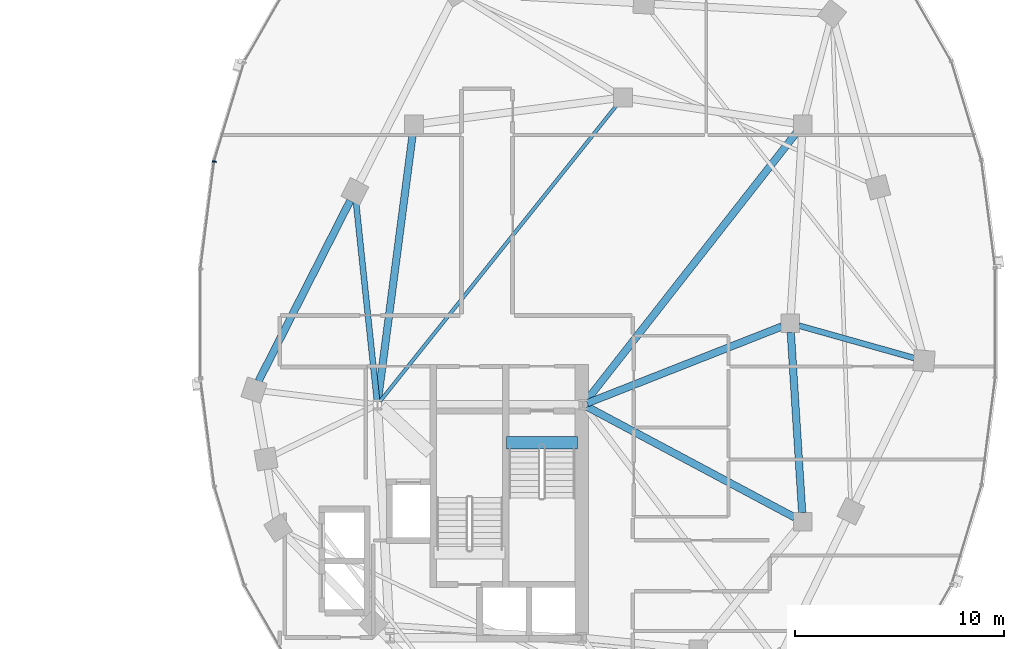
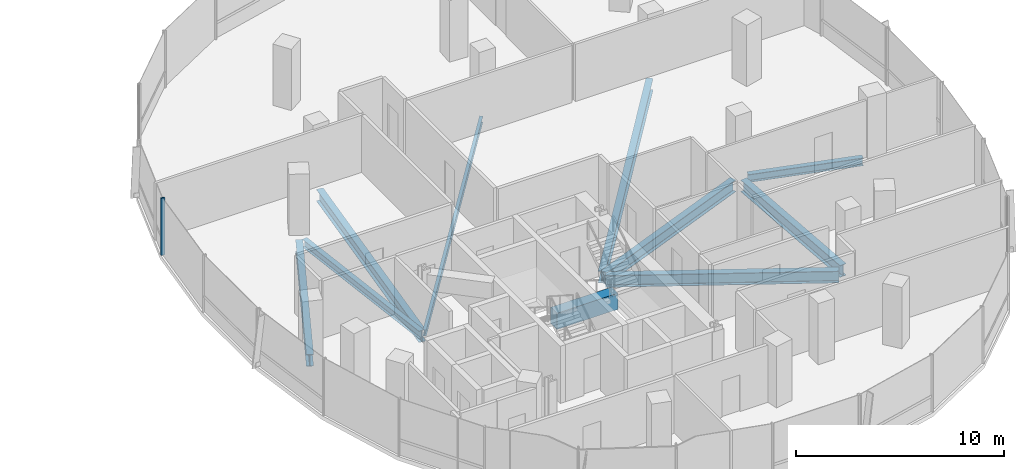
# One storey, part 7 of 22: 10 beams, 1 member, 1 element without a shape of its own.
"""IFC4 building model written with IfcOpenShell, lengths in metres."""

from ifc_helpers import new_model, si_unit, direction, frame, origin, origin_2d, place, context, subcontext, project, spatial, rectangle, i_section, extrude, material, material_profile, profile_set, type_object, element, aggregate, save


model = new_model("IFC4")

# Units and contexts
model_context = context("Model", 3, precision=1e-05, world=origin(), true_north=direction((0.0, 1.0)))
body_context = subcontext(model_context, "Body", "Model", "MODEL_VIEW")
ifc_project = project(units=[si_unit("LENGTHUNIT", "METRE"), si_unit("AREAUNIT", "SQUARE_METRE"), si_unit("VOLUMEUNIT", "CUBIC_METRE"), si_unit("PLANEANGLEUNIT", "RADIAN"), si_unit("MASSUNIT", "GRAM", prefix="KILO"), si_unit("THERMODYNAMICTEMPERATUREUNIT", "KELVIN"), si_unit("POWERUNIT", "WATT")], contexts=[model_context])

# Site, building, storey
site_placement = place(None, origin())
site = spatial("IfcSite", under=ifc_project, at=site_placement, CompositionType="ELEMENT")
building_placement = place(site_placement, origin())
building = spatial("IfcBuilding", under=site, at=building_placement, Name="Cundina Bronze Exchange", CompositionType="ELEMENT")
storey_placement = place(building_placement, frame((0.0, 0.0, 154.800048828125)))
storey = spatial("IfcBuildingStorey", under=building, at=storey_placement, Name="L40", CompositionType="ELEMENT", Elevation=154.800048828125)

# Beams
ifc_material_1 = material(Name="Concrete C60/75", Category="concrete")
ifc_material_profile_1 = material_profile(ifc_material_1, rectangle(XDim=0.60009765625, YDim=0.949951171875, at=origin_2d()), Name="RC600X950", Category="concrete")
ifc_profile_set_1 = profile_set([ifc_material_profile_1], Name="Concrete C60/75")
beam_type_1 = type_object("IfcBeamType", Name="BM-COUP-RC950", PredefinedType="LINTEL", material=ifc_profile_set_1)
beam_1_placement = place(storey_placement, frame((27.6201171875, -5.719970703125, -0.47509765625), z_axis=(1.0, 0.0, 0.0), x_axis=(0.0, 1.0, 0.0)))
element("IfcBeam", 1, at=beam_1_placement, inside=storey, type_object=beam_type_1, Name="L40 Stair E1 Landing Header Beam", PredefinedType="LINTEL", context=body_context, shape_type="SweptSolid", body=[
    extrude(rectangle(XDim=0.60009765625, YDim=0.949951171875, at=origin_2d()), origin(), (0.0, 0.0, 1.0), 3.39990234375),
])
ifc_material_2 = material(Name="Steel ASTM A992 Grade 50", Category="steel")
ifc_material_profile_2 = material_profile(ifc_material_2, i_section(OverallWidth=0.280029296875, OverallDepth=0.462890625, WebThickness=0.0107421875, FlangeThickness=0.017333984375, FilletRadius=0.011962890625, at=origin_2d()), Name="W18X76", Category="steel")
ifc_profile_set_2 = profile_set([ifc_material_profile_2], Name="Steel ASTM A992 Grade 50")
beam_type_2 = type_object("IfcBeamType", Name="BM-FLR-W18A", PredefinedType="BEAM", material=ifc_profile_set_2)
beam_2_placement = place(storey_placement, frame((41.62158203125, -0.11865234375, -0.471435546875), z_axis=(0.962649202648, -0.270751754643, 0.0), x_axis=(0.270751754643, 0.962649202648, 0.0)))
element("IfcBeam", 2, at=beam_2_placement, inside=storey, type_object=beam_type_2, Name="L40 Leg E Chordal Floor Beam 08", PredefinedType="BEAM", context=body_context, shape_type="SweptSolid", body=[
    extrude(i_section(OverallWidth=0.280029296875, OverallDepth=0.462890625, WebThickness=0.0107421875, FlangeThickness=0.017333984375, FilletRadius=0.011962890625, at=origin_2d()), origin(), (0.0, 0.0, 1.0), 5.72216796875),
])
beam_3_placement = place(storey_placement, frame((21.4287109375, -3.697021484375, -0.471435546875), z_axis=(-0.104834931651, 0.9944896365, 0.0), x_axis=(-0.9944896365, -0.104834931651, 0.0)))
element("IfcBeam", 3, at=beam_3_placement, inside=storey, type_object=beam_type_2, Name="L40 Leg E Chordal Floor Beam 13", PredefinedType="BEAM", context=body_context, shape_type="SweptSolid", body=[
    extrude(i_section(OverallWidth=0.280029296875, OverallDepth=0.462890625, WebThickness=0.0107421875, FlangeThickness=0.017333984375, FilletRadius=0.011962890625, at=origin_2d()), origin(), (0.0, 0.0, 1.0), 9.564453125),
])
ifc_material_profile_3 = material_profile(ifc_material_2, i_section(OverallWidth=0.172119140625, OverallDepth=0.35791015625, WebThickness=0.0078125, FlangeThickness=0.01318359375, FilletRadius=0.010009765625, at=origin_2d()), Name="W14X38", Category="steel")
ifc_profile_set_3 = profile_set([ifc_material_profile_3], Name="Steel ASTM A992 Grade 50")
beam_type_3 = type_object("IfcBeamType", Name="BM-JST-W14", PredefinedType="JOIST", material=ifc_profile_set_3)
beam_4_placement = place(storey_placement, frame((21.577392578125, -3.740478515625, -0.4189453125), z_axis=(0.624370675223, 0.781128196854, 0.0), x_axis=(-0.781128196854, 0.624370675223, 0.0)))
element("IfcBeam", 4, at=beam_4_placement, inside=storey, type_object=beam_type_3, Name="L40 E Interior Core-to-Ring Joist 2", PredefinedType="JOIST", context=body_context, shape_type="SweptSolid", body=[
    extrude(i_section(OverallWidth=0.172119140625, OverallDepth=0.35791015625, WebThickness=0.0078125, FlangeThickness=0.01318359375, FilletRadius=0.010009765625, at=origin_2d()), origin(), (0.0, 0.0, 1.0), 18.177001953125),
])
ifc_material_profile_4 = material_profile(ifc_material_2, i_section(OverallWidth=0.35498046875, OverallDepth=0.695068359375, WebThickness=0.015380859375, FlangeThickness=0.02490234375, FilletRadius=0.01806640625, at=origin_2d()), Name="W27X146", Category="steel")
ifc_profile_set_4 = profile_set([ifc_material_profile_4], Name="Steel ASTM A992 Grade 50")
beam_type_4 = type_object("IfcBeamType", Name="BM-RING-W27", PredefinedType="USERDEFINED", material=ifc_profile_set_4)
beam_5_placement = place(storey_placement, frame((41.7724609375, -9.06298828125, -0.587646484375), z_axis=(-0.063046519736, 0.998010589297, 0.0), x_axis=(-0.998010589297, -0.063046519736, 0.0)))
element("IfcBeam", 5, at=beam_5_placement, inside=storey, type_object=beam_type_4, Name="L40 E Inner Structural Ring Girder 03", ObjectType="GIRDER", PredefinedType="USERDEFINED", context=body_context, shape_type="SweptSolid", body=[
    extrude(i_section(OverallWidth=0.35498046875, OverallDepth=0.695068359375, WebThickness=0.015380859375, FlangeThickness=0.02490234375, FilletRadius=0.01806640625, at=origin_2d()), origin(), (0.0, 0.0, 1.0), 8.64306640625),
])
beam_6_placement = place(storey_placement, frame((23.143310546875, 9.065673828125, -0.587646484375), z_axis=(-0.129507030047, -0.991578503785, 0.0), x_axis=(0.991578503785, -0.129507030047, 0.0)))
element("IfcBeam", 6, at=beam_6_placement, inside=storey, type_object=beam_type_4, Name="L40 E Inner Structural Ring Girder 07", ObjectType="GIRDER", PredefinedType="USERDEFINED", context=body_context, shape_type="SweptSolid", body=[
    extrude(i_section(OverallWidth=0.35498046875, OverallDepth=0.695068359375, WebThickness=0.015380859375, FlangeThickness=0.02490234375, FilletRadius=0.01806640625, at=origin_2d()), origin(), (0.0, 0.0, 1.0), 12.871826171875),
])
beam_7_placement = place(storey_placement, frame((31.48974609375, -3.8251953125, -0.587646484375), z_axis=(0.930405617189, 0.36653156413, 0.0), x_axis=(-0.36653156413, 0.930405617189, 0.0)))
element("IfcBeam", 7, at=beam_7_placement, inside=storey, type_object=beam_type_4, Name="L40 E Core-to-Waist Tie Beam 1", ObjectType="GIRDER", PredefinedType="USERDEFINED", context=body_context, shape_type="SweptSolid", body=[
    extrude(i_section(OverallWidth=0.35498046875, OverallDepth=0.695068359375, WebThickness=0.015380859375, FlangeThickness=0.02490234375, FilletRadius=0.01806640625, at=origin_2d()), origin(), (0.0, 0.0, 1.0), 9.99853515625),
])
beam_8_placement = place(storey_placement, frame((31.47998046875, -3.99609375, -0.587646484375), z_axis=(0.88235534237, -0.470583733028, 0.0), x_axis=(0.470583733028, 0.88235534237, 0.0)))
element("IfcBeam", 8, at=beam_8_placement, inside=storey, type_object=beam_type_4, Name="L40 E Core-to-Waist Tie Beam 2", ObjectType="GIRDER", PredefinedType="USERDEFINED", context=body_context, shape_type="SweptSolid", body=[
    extrude(i_section(OverallWidth=0.35498046875, OverallDepth=0.695068359375, WebThickness=0.015380859375, FlangeThickness=0.02490234375, FilletRadius=0.01806640625, at=origin_2d()), origin(), (0.0, 0.0, 1.0), 11.258056640625),
])
beam_9_placement = place(storey_placement, frame((31.42578125, -3.739501953125, -0.587646484375), z_axis=(0.616779109924, 0.787136283982, 0.0), x_axis=(-0.787136283982, 0.616779109924, 0.0)))
element("IfcBeam", 9, at=beam_9_placement, inside=storey, type_object=beam_type_4, Name="L40 E Core-to-Waist Tie Beam 3", ObjectType="GIRDER", PredefinedType="USERDEFINED", context=body_context, shape_type="SweptSolid", body=[
    extrude(i_section(OverallWidth=0.35498046875, OverallDepth=0.695068359375, WebThickness=0.015380859375, FlangeThickness=0.02490234375, FilletRadius=0.01806640625, at=origin_2d()), origin(), (0.0, 0.0, 1.0), 16.3818359375),
])
beam_10_placement = place(storey_placement, frame((20.154052734375, 5.864990234375, -0.587646484375), z_axis=(-0.452834585354, -0.891594548159, 0.0), x_axis=(0.891594548159, -0.452834585354, 0.0)))
element("IfcBeam", 10, at=beam_10_placement, inside=storey, type_object=beam_type_4, Name="L40 E Perimeter Ring Girder 13", ObjectType="GIRDER", PredefinedType="USERDEFINED", context=body_context, shape_type="SweptSolid", body=[
    extrude(i_section(OverallWidth=0.35498046875, OverallDepth=0.695068359375, WebThickness=0.015380859375, FlangeThickness=0.02490234375, FilletRadius=0.01806640625, at=origin_2d()), origin(), (0.0, 0.0, 1.0), 9.67919921875),
])

# Curtain wall, member
ifc_material_3 = material(Name="Anodised Bronze Aluminium 6063-T6", Category="aluminium")
curtain_wall_type = type_object("IfcCurtainWallType", Name="CWS-WST-PIN", PredefinedType="NOTDEFINED", material=ifc_material_3)
curtain_wall_placement = place(storey_placement, origin())
curtain_wall = element("IfcCurtainWall", 11, at=curtain_wall_placement, inside=storey, type_object=curtain_wall_type, Name="L40 CW-04 Curtain Wall Run CWR-L40-E2", PredefinedType="NOTDEFINED")
ifc_material_profile_5 = material_profile(ifc_material_3, rectangle(XDim=0.070068359375, YDim=0.18994140625, at=origin_2d()), Name="AL70X190", Category="aluminium")
ifc_profile_set_5 = profile_set([ifc_material_profile_5], Name="Anodised Bronze Aluminium 6063-T6")
member_type = type_object("IfcMemberType", Name="CWM-MUL-190", PredefinedType="MULLION", material=ifc_profile_set_5)
member_placement = place(storey_placement, frame((13.642822265625, 7.731689453125, 0.0), z_axis=(0.0, 0.0, 1.0), x_axis=(-0.126545236492, -0.991960837494, 0.0)))
member = element("IfcMember", 12, at=member_placement, type_object=member_type, Name="CW-04 Mullion 6", PredefinedType="MULLION", context=body_context, shape_type="SweptSolid", body=[
    extrude(rectangle(XDim=0.070068359375, YDim=0.18994140625, at=origin_2d()), origin(), (0.0, 0.0, 1.0), 3.35986328125),
])
aggregate(curtain_wall, [member])

save(model, "model.ifc")
